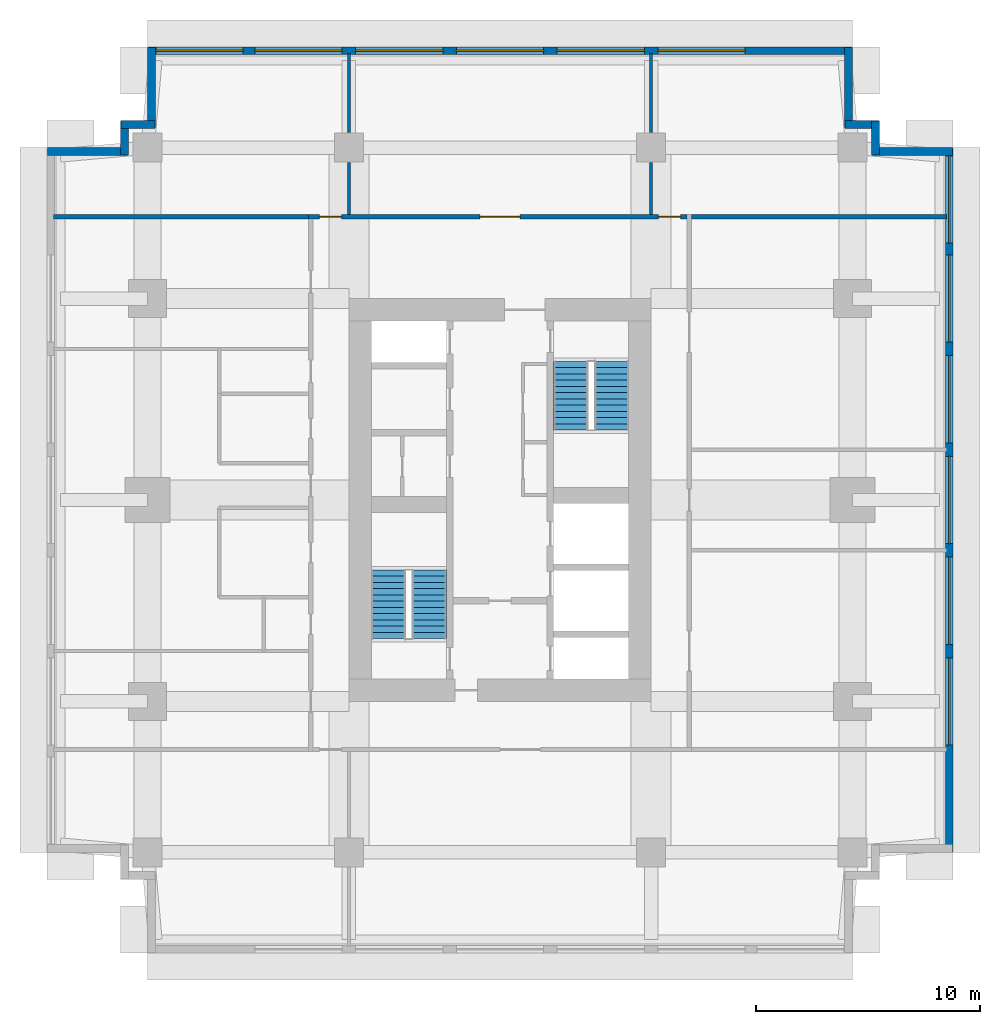
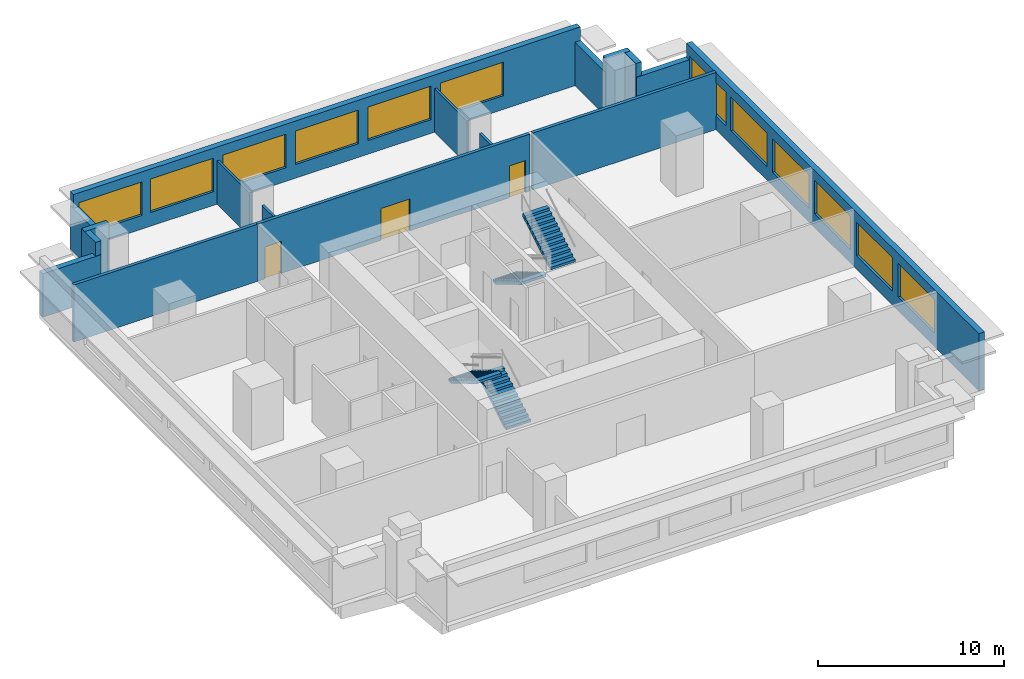
# One storey, part 4 of 5: 17 walls, 12 windows, 4 stair flights, 3 doors, 15 openings, 2 elements without a shape of their own.
"""IFC4 building model written with IfcOpenShell, lengths in metres."""

from ifc_helpers import new_model, si_unit, direction, frame, frame_2d, origin, place, context, subcontext, project, spatial, polyline, rectangle, outline, extrude, material, layer, layer_set, type_object, element, fill, aggregate, save


model = new_model("IFC4")

# Units and contexts
model_context = context("Model", 3, precision=1e-05, world=origin(), true_north=direction((0.0, 1.0)))
body_context = subcontext(model_context, "Body", "Model", "MODEL_VIEW")
ifc_project = project(units=[si_unit("LENGTHUNIT", "METRE"), si_unit("AREAUNIT", "SQUARE_METRE"), si_unit("VOLUMEUNIT", "CUBIC_METRE"), si_unit("PLANEANGLEUNIT", "RADIAN"), si_unit("MASSUNIT", "GRAM", prefix="KILO")], contexts=[model_context])

# Site, building, storey
site_placement = place(None, origin())
site = spatial("IfcSite", under=ifc_project, at=site_placement, CompositionType="ELEMENT")
building_placement = place(site_placement, origin())
building = spatial("IfcBuilding", under=site, at=building_placement, Name="Namib Vertical Campus", CompositionType="ELEMENT")
storey_placement = place(building_placement, frame((0.0, 0.0, 277.0)))
storey = spatial("IfcBuildingStorey", under=building, at=storey_placement, Name="L65", CompositionType="ELEMENT", Elevation=277.0)

# Wall, openings, doors
ifc_material_1 = material(Name="Concrete masonry", Category="masonry")
ifc_layer_1 = layer(ifc_material_1, 0.199951171875)
ifc_layer_set_1 = layer_set([ifc_layer_1], Name="Corridor wall 200")
wall_type_1 = type_object("IfcWallType", Name="Corridor wall 200", PredefinedType="SOLIDWALL", material=ifc_layer_set_1)
wall_1_placement = place(storey_placement, frame((28.60009765625, 32.89990234375, 0.0), z_axis=(0.0, 0.0, 1.0), x_axis=(-1.0, 0.0, 0.0)))
wall_1 = element("IfcWall", 1, at=wall_1_placement, inside=storey, type_object=wall_type_1, Name="Corridor wall A L65 CN", PredefinedType="SOLIDWALL", context=body_context, shape_type="SweptSolid", body=[
    extrude(rectangle(XDim=16.900146484375, YDim=0.199951171875, at=frame_2d((8.4501953125, 0.0))), origin(), (0.0, 0.0, 1.0), 3.75),
])
opening_1_placement = place(wall_1_placement, frame((15.425048828125, 0.0, 0.0)))
opening_1 = element("IfcOpeningElement", 2, at=opening_1_placement, cuts=wall_1, Name="Opening CD1", PredefinedType="OPENING", context=body_context, shape_type="SweptSolid", body=[
    extrude(rectangle(XDim=1.0, YDim=2.10009765625, at=frame_2d((0.5, 1.050048828125))), frame((0.0, 0.10986328125, 0.0), z_axis=(0.0, -1.0, 0.0), x_axis=(1.0, 0.0, 0.0)), (0.0, 0.0, 1.0), 0.219970703125),
])
opening_2_placement = place(wall_1_placement, frame((7.449951171875, 0.0, 0.0)))
opening_2 = element("IfcOpeningElement", 3, at=opening_2_placement, cuts=wall_1, Name="Opening CD2", PredefinedType="OPENING", context=body_context, shape_type="SweptSolid", body=[
    extrude(rectangle(XDim=1.800048828125, YDim=2.10009765625, at=frame_2d((0.89990234375, 1.050048828125))), frame((0.0, 0.10986328125, 0.0), z_axis=(0.0, -1.0, 0.0), x_axis=(1.0, 0.0, 0.0)), (0.0, 0.0, 1.0), 0.219970703125),
])
opening_3_placement = place(wall_1_placement, frame((0.27490234375, 0.0, 0.0)))
opening_3 = element("IfcOpeningElement", 4, at=opening_3_placement, cuts=wall_1, Name="Opening CD1", PredefinedType="OPENING", context=body_context, shape_type="SweptSolid", body=[
    extrude(rectangle(XDim=1.0, YDim=2.10009765625, at=frame_2d((0.5, 1.050048828125))), frame((0.0, 0.10986328125, 0.0), z_axis=(0.0, -1.0, 0.0), x_axis=(1.0, 0.0, 0.0)), (0.0, 0.0, 1.0), 0.219970703125),
])
ifc_material_2 = material(Name="Timber fire door leaf", Category="wood")
door_type_1 = type_object("IfcDoorType", Name="Corridor door 1000x2100 20 min", OperationType="SINGLE_SWING_LEFT", PredefinedType="DOOR", material=ifc_material_2)
door_1_placement = place(opening_1_placement, frame((1.0, 0.0, 0.0), z_axis=(0.0, 0.0, 1.0), x_axis=(-1.0, 0.0, 0.0)))
door_1 = element("IfcDoor", 5, at=door_1_placement, inside=storey, type_object=door_type_1, Name="Door CD1 A65-06", OperationType="SINGLE_SWING_RIGHT", OverallHeight=2.10009765625, OverallWidth=1.0, PredefinedType="DOOR", context=body_context, shape_type="SweptSolid", body=[
    extrude(rectangle(XDim=1.0, YDim=2.10009765625, at=frame_2d((0.5, 1.050048828125))), frame((0.0, 0.02490234375, 0.0), z_axis=(0.0, -1.0, 0.0), x_axis=(1.0, 0.0, 0.0)), (0.0, 0.0, 1.0), 0.050048828125),
])
fill(opening_1, door_1)
door_2_placement = place(opening_3_placement, frame((1.0, 0.0, 0.0), z_axis=(0.0, 0.0, 1.0), x_axis=(-1.0, 0.0, 0.0)))
door_2 = element("IfcDoor", 6, at=door_2_placement, inside=storey, type_object=door_type_1, Name="Door CD1 A65-08", OperationType="SINGLE_SWING_LEFT", OverallHeight=2.10009765625, OverallWidth=1.0, PredefinedType="DOOR", context=body_context, shape_type="SweptSolid", body=[
    extrude(rectangle(XDim=1.0, YDim=2.10009765625, at=frame_2d((0.5, 1.050048828125))), frame((0.0, 0.02490234375, 0.0), z_axis=(0.0, -1.0, 0.0), x_axis=(1.0, 0.0, 0.0)), (0.0, 0.0, 1.0), 0.050048828125),
])
fill(opening_3, door_2)
ifc_material_3 = material(Name="Timber fire door leaf", Category="wood")
door_type_2 = type_object("IfcDoorType", Name="Corridor door double 1800x2100 20 min", OperationType="DOUBLE_DOOR_SINGLE_SWING", PredefinedType="DOOR", material=ifc_material_3)
door_3_placement = place(opening_2_placement, frame((1.800048828125, 0.0, 0.0), z_axis=(0.0, 0.0, 1.0), x_axis=(-1.0, 0.0, 0.0)))
door_3 = element("IfcDoor", 7, at=door_3_placement, inside=storey, type_object=door_type_2, Name="Door CD2 A65-07", OperationType="DOUBLE_DOOR_SINGLE_SWING", OverallHeight=2.10009765625, OverallWidth=1.800048828125, PredefinedType="DOOR", context=body_context, shape_type="SweptSolid", body=[
    extrude(rectangle(XDim=1.800048828125, YDim=2.10009765625, at=frame_2d((0.89990234375, 1.050048828125))), frame((0.0, 0.02490234375, 0.0), z_axis=(0.0, -1.0, 0.0), x_axis=(1.0, 0.0, 0.0)), (0.0, 0.0, 1.0), 0.050048828125),
])
fill(opening_2, door_3)

# Walls
for number, where, z_axis, x_axis, name in (
    (8, (0.300048828125, 32.89990234375, 0.0), (0.0, 0.0, 1.0), (1.0, 0.0, 0.0), "Partition A L65 BNW"),
    (9, (28.800048828125, 32.89990234375, 0.0), (0.0, 0.0, 1.0), (1.0, 0.0, 0.0), "Partition A L65 BNE"),
):
    element("IfcWall", number, at=place(storey_placement, frame(where, z_axis=z_axis, x_axis=x_axis)), inside=storey, type_object=wall_type_1, Name=name, PredefinedType="SOLIDWALL", context=body_context, shape_type="SweptSolid", body=[
        extrude(rectangle(XDim=11.39990234375, YDim=0.199951171875, at=frame_2d((5.699951171875, 0.0))), origin(), (0.0, 0.0, 1.0), 3.75),
    ])

# Wall, openings, windows
ifc_material_4 = material(Name="Concrete C40/50", Category="concrete")
ifc_layer_2 = layer(ifc_material_4, 0.35009765625)
ifc_layer_set_2 = layer_set([ifc_layer_2], Name="Concrete C40/50")
wall_type_2 = type_object("IfcWallType", Name="External wall 350 bush-hammered concrete", PredefinedType="STANDARD", material=ifc_layer_set_2)
wall_2_placement = place(storey_placement, frame((40.324951171875, 4.52001953125, 0.0), z_axis=(0.0, 0.0, 1.0), x_axis=(0.0, 1.0, 0.0)))
wall_2 = element("IfcWall", 10, at=wall_2_placement, inside=storey, type_object=wall_type_2, Name="External wall L65 F06", PredefinedType="STANDARD", context=body_context, shape_type="SweptSolid", body=[
    extrude(rectangle(XDim=31.4599609375, YDim=0.35009765625, at=frame_2d((15.72998046875, 0.0))), origin(), (0.0, 0.0, 1.0), 3.75),
])
opening_4_placement = place(wall_2_placement, frame((4.780029296875, 0.0, 0.89990234375)))
opening_4 = element("IfcOpeningElement", 11, at=opening_4_placement, cuts=wall_2, Name="Opening W1", PredefinedType="OPENING", context=body_context, shape_type="SweptSolid", body=[
    extrude(rectangle(XDim=3.89990234375, YDim=2.199951171875, at=frame_2d((1.949951171875, 1.10009765625))), frame((0.0, 0.18505859375, 0.0), z_axis=(0.0, -1.0, 0.0), x_axis=(1.0, 0.0, 0.0)), (0.0, 0.0, 1.0), 0.3701171875),
])
opening_5_placement = place(wall_2_placement, frame((9.280029296875, 0.0, 0.89990234375)))
opening_5 = element("IfcOpeningElement", 12, at=opening_5_placement, cuts=wall_2, Name="Opening W1", PredefinedType="OPENING", context=body_context, shape_type="SweptSolid", body=[
    extrude(rectangle(XDim=3.89990234375, YDim=2.199951171875, at=frame_2d((1.949951171875, 1.10009765625))), frame((0.0, 0.18505859375, 0.0), z_axis=(0.0, -1.0, 0.0), x_axis=(1.0, 0.0, 0.0)), (0.0, 0.0, 1.0), 0.3701171875),
])
opening_6_placement = place(wall_2_placement, frame((13.780029296875, 0.0, 0.89990234375)))
opening_6 = element("IfcOpeningElement", 13, at=opening_6_placement, cuts=wall_2, Name="Opening W1", PredefinedType="OPENING", context=body_context, shape_type="SweptSolid", body=[
    extrude(rectangle(XDim=3.89990234375, YDim=2.199951171875, at=frame_2d((1.949951171875, 1.10009765625))), frame((0.0, 0.18505859375, 0.0), z_axis=(0.0, -1.0, 0.0), x_axis=(1.0, 0.0, 0.0)), (0.0, 0.0, 1.0), 0.3701171875),
])
opening_7_placement = place(wall_2_placement, frame((18.280029296875, 0.0, 0.89990234375)))
opening_7 = element("IfcOpeningElement", 14, at=opening_7_placement, cuts=wall_2, Name="Opening W1", PredefinedType="OPENING", context=body_context, shape_type="SweptSolid", body=[
    extrude(rectangle(XDim=3.89990234375, YDim=2.199951171875, at=frame_2d((1.949951171875, 1.10009765625))), frame((0.0, 0.18505859375, 0.0), z_axis=(0.0, -1.0, 0.0), x_axis=(1.0, 0.0, 0.0)), (0.0, 0.0, 1.0), 0.3701171875),
])
opening_8_placement = place(wall_2_placement, frame((22.780029296875, 0.0, 0.89990234375)))
opening_8 = element("IfcOpeningElement", 15, at=opening_8_placement, cuts=wall_2, Name="Opening W1", PredefinedType="OPENING", context=body_context, shape_type="SweptSolid", body=[
    extrude(rectangle(XDim=3.89990234375, YDim=2.199951171875, at=frame_2d((1.949951171875, 1.10009765625))), frame((0.0, 0.18505859375, 0.0), z_axis=(0.0, -1.0, 0.0), x_axis=(1.0, 0.0, 0.0)), (0.0, 0.0, 1.0), 0.3701171875),
])
opening_9_placement = place(wall_2_placement, frame((27.2099609375, 0.0, 0.89990234375)))
opening_9 = element("IfcOpeningElement", 16, at=opening_9_placement, cuts=wall_2, Name="Opening W1", PredefinedType="OPENING", context=body_context, shape_type="SweptSolid", body=[
    extrude(rectangle(XDim=3.89990234375, YDim=2.199951171875, at=frame_2d((1.949951171875, 1.10009765625))), frame((0.0, 0.18505859375, 0.0), z_axis=(0.0, -1.0, 0.0), x_axis=(1.0, 0.0, 0.0)), (0.0, 0.0, 1.0), 0.3701171875),
])
ifc_material_5 = material(Name="Dark tinted glass in black aluminium frame", Category="aluminium")
window_type = type_object("IfcWindowType", Name="Ribbon window 3900x2200", PartitioningType="SINGLE_PANEL", PredefinedType="WINDOW", material=ifc_material_5)
window_1_placement = place(opening_4_placement, origin())
window_1 = element("IfcWindow", 17, at=window_1_placement, inside=storey, type_object=window_type, Name="Window W1 L65 F06-2", OverallHeight=2.199951171875, OverallWidth=3.89990234375, PartitioningType="SINGLE_PANEL", PredefinedType="WINDOW", context=body_context, shape_type="SweptSolid", body=[
    extrude(rectangle(XDim=3.89990234375, YDim=2.199951171875, at=frame_2d((1.949951171875, 1.10009765625))), frame((0.0, 0.030029296875, 0.0), z_axis=(0.0, -1.0, 0.0), x_axis=(1.0, 0.0, 0.0)), (0.0, 0.0, 1.0), 0.06005859375),
])
fill(opening_4, window_1)
window_2_placement = place(opening_5_placement, origin())
window_2 = element("IfcWindow", 18, at=window_2_placement, inside=storey, type_object=window_type, Name="Window W1 L65 F06-3", OverallHeight=2.199951171875, OverallWidth=3.89990234375, PartitioningType="SINGLE_PANEL", PredefinedType="WINDOW", context=body_context, shape_type="SweptSolid", body=[
    extrude(rectangle(XDim=3.89990234375, YDim=2.199951171875, at=frame_2d((1.949951171875, 1.10009765625))), frame((0.0, 0.030029296875, 0.0), z_axis=(0.0, -1.0, 0.0), x_axis=(1.0, 0.0, 0.0)), (0.0, 0.0, 1.0), 0.06005859375),
])
fill(opening_5, window_2)
window_3_placement = place(opening_6_placement, origin())
window_3 = element("IfcWindow", 19, at=window_3_placement, inside=storey, type_object=window_type, Name="Window W1 L65 F06-4", OverallHeight=2.199951171875, OverallWidth=3.89990234375, PartitioningType="SINGLE_PANEL", PredefinedType="WINDOW", context=body_context, shape_type="SweptSolid", body=[
    extrude(rectangle(XDim=3.89990234375, YDim=2.199951171875, at=frame_2d((1.949951171875, 1.10009765625))), frame((0.0, 0.030029296875, 0.0), z_axis=(0.0, -1.0, 0.0), x_axis=(1.0, 0.0, 0.0)), (0.0, 0.0, 1.0), 0.06005859375),
])
fill(opening_6, window_3)
window_4_placement = place(opening_7_placement, origin())
window_4 = element("IfcWindow", 20, at=window_4_placement, inside=storey, type_object=window_type, Name="Window W1 L65 F06-5", OverallHeight=2.199951171875, OverallWidth=3.89990234375, PartitioningType="SINGLE_PANEL", PredefinedType="WINDOW", context=body_context, shape_type="SweptSolid", body=[
    extrude(rectangle(XDim=3.89990234375, YDim=2.199951171875, at=frame_2d((1.949951171875, 1.10009765625))), frame((0.0, 0.030029296875, 0.0), z_axis=(0.0, -1.0, 0.0), x_axis=(1.0, 0.0, 0.0)), (0.0, 0.0, 1.0), 0.06005859375),
])
fill(opening_7, window_4)
window_5_placement = place(opening_8_placement, origin())
window_5 = element("IfcWindow", 21, at=window_5_placement, inside=storey, type_object=window_type, Name="Window W1 L65 F06-6", OverallHeight=2.199951171875, OverallWidth=3.89990234375, PartitioningType="SINGLE_PANEL", PredefinedType="WINDOW", context=body_context, shape_type="SweptSolid", body=[
    extrude(rectangle(XDim=3.89990234375, YDim=2.199951171875, at=frame_2d((1.949951171875, 1.10009765625))), frame((0.0, 0.030029296875, 0.0), z_axis=(0.0, -1.0, 0.0), x_axis=(1.0, 0.0, 0.0)), (0.0, 0.0, 1.0), 0.06005859375),
])
fill(opening_8, window_5)
window_6_placement = place(opening_9_placement, origin())
window_6 = element("IfcWindow", 22, at=window_6_placement, inside=storey, type_object=window_type, Name="Window W1 L65 F06-7", OverallHeight=2.199951171875, OverallWidth=3.89990234375, PartitioningType="SINGLE_PANEL", PredefinedType="WINDOW", context=body_context, shape_type="SweptSolid", body=[
    extrude(rectangle(XDim=3.89990234375, YDim=2.199951171875, at=frame_2d((1.949951171875, 1.10009765625))), frame((0.0, 0.030029296875, 0.0), z_axis=(0.0, -1.0, 0.0), x_axis=(1.0, 0.0, 0.0)), (0.0, 0.0, 1.0), 0.06005859375),
])
fill(opening_9, window_6)

# Walls
wall_3_placement = place(storey_placement, frame((40.47998046875, 35.824951171875, 0.0), z_axis=(0.0, 0.0, 1.0), x_axis=(-1.0, 0.0, 0.0)))
element("IfcWall", 23, at=wall_3_placement, inside=storey, type_object=wall_type_2, Name="External wall L65 F07", PredefinedType="STANDARD", context=body_context, shape_type="SweptSolid", body=[
    extrude(rectangle(XDim=3.60986328125, YDim=0.35009765625, at=frame_2d((1.804931640625, 0.0))), origin(), (0.0, 0.0, 1.0), 2.85009765625),
])
for number, where, z_axis, x_axis, name in (
    (24, (37.02490234375, 35.669921875, 0.0), (0.0, 0.0, 1.0), (0.0, 1.0, 0.0), "External wall L65 F08"),
    (25, (37.179931640625, 37.02490234375, 0.0), (0.0, 0.0, 1.0), (-1.0, 0.0, 0.0), "External wall L65 F09"),
):
    element("IfcWall", number, at=place(storey_placement, frame(where, z_axis=z_axis, x_axis=x_axis)), inside=storey, type_object=wall_type_2, Name=name, PredefinedType="STANDARD", context=body_context, shape_type="SweptSolid", body=[
        extrude(rectangle(XDim=1.510009765625, YDim=0.35009765625, at=frame_2d((0.7548828125, 0.0))), origin(), (0.0, 0.0, 1.0), 3.75),
    ])
wall_4_placement = place(storey_placement, frame((35.824951171875, 36.8701171875, 0.0), z_axis=(0.0, 0.0, 1.0), x_axis=(0.0, 1.0, 0.0)))
element("IfcWall", 26, at=wall_4_placement, inside=storey, type_object=wall_type_2, Name="External wall L65 F10", PredefinedType="STANDARD", context=body_context, shape_type="SweptSolid", body=[
    extrude(rectangle(XDim=3.60986328125, YDim=0.35009765625, at=frame_2d((1.804931640625, 0.0))), origin(), (0.0, 0.0, 1.0), 2.85009765625),
])

# Wall, openings, windows
wall_5_placement = place(storey_placement, frame((35.97998046875, 40.324951171875, 0.0), z_axis=(0.0, 0.0, 1.0), x_axis=(-1.0, 0.0, 0.0)))
wall_5 = element("IfcWall", 27, at=wall_5_placement, inside=storey, type_object=wall_type_2, Name="External wall L65 F11", PredefinedType="STANDARD", context=body_context, shape_type="SweptSolid", body=[
    extrude(rectangle(XDim=31.4599609375, YDim=0.35009765625, at=frame_2d((15.72998046875, 0.0))), origin(), (0.0, 0.0, 1.0), 3.75),
])
opening_10_placement = place(wall_5_placement, frame((27.2099609375, 0.0, 0.89990234375)))
opening_10 = element("IfcOpeningElement", 28, at=opening_10_placement, cuts=wall_5, Name="Opening W1", PredefinedType="OPENING", context=body_context, shape_type="SweptSolid", body=[
    extrude(rectangle(XDim=3.89990234375, YDim=2.199951171875, at=frame_2d((1.949951171875, 1.10009765625))), frame((0.0, 0.18505859375, 0.0), z_axis=(0.0, -1.0, 0.0), x_axis=(1.0, 0.0, 0.0)), (0.0, 0.0, 1.0), 0.3701171875),
])
opening_11_placement = place(wall_5_placement, frame((22.780029296875, 0.0, 0.89990234375)))
opening_11 = element("IfcOpeningElement", 29, at=opening_11_placement, cuts=wall_5, Name="Opening W1", PredefinedType="OPENING", context=body_context, shape_type="SweptSolid", body=[
    extrude(rectangle(XDim=3.89990234375, YDim=2.199951171875, at=frame_2d((1.949951171875, 1.10009765625))), frame((0.0, 0.18505859375, 0.0), z_axis=(0.0, -1.0, 0.0), x_axis=(1.0, 0.0, 0.0)), (0.0, 0.0, 1.0), 0.3701171875),
])
opening_12_placement = place(wall_5_placement, frame((18.280029296875, 0.0, 0.89990234375)))
opening_12 = element("IfcOpeningElement", 30, at=opening_12_placement, cuts=wall_5, Name="Opening W1", PredefinedType="OPENING", context=body_context, shape_type="SweptSolid", body=[
    extrude(rectangle(XDim=3.89990234375, YDim=2.199951171875, at=frame_2d((1.949951171875, 1.10009765625))), frame((0.0, 0.18505859375, 0.0), z_axis=(0.0, -1.0, 0.0), x_axis=(1.0, 0.0, 0.0)), (0.0, 0.0, 1.0), 0.3701171875),
])
opening_13_placement = place(wall_5_placement, frame((13.780029296875, 0.0, 0.89990234375)))
opening_13 = element("IfcOpeningElement", 31, at=opening_13_placement, cuts=wall_5, Name="Opening W1", PredefinedType="OPENING", context=body_context, shape_type="SweptSolid", body=[
    extrude(rectangle(XDim=3.89990234375, YDim=2.199951171875, at=frame_2d((1.949951171875, 1.10009765625))), frame((0.0, 0.18505859375, 0.0), z_axis=(0.0, -1.0, 0.0), x_axis=(1.0, 0.0, 0.0)), (0.0, 0.0, 1.0), 0.3701171875),
])
opening_14_placement = place(wall_5_placement, frame((9.280029296875, 0.0, 0.89990234375)))
opening_14 = element("IfcOpeningElement", 32, at=opening_14_placement, cuts=wall_5, Name="Opening W1", PredefinedType="OPENING", context=body_context, shape_type="SweptSolid", body=[
    extrude(rectangle(XDim=3.89990234375, YDim=2.199951171875, at=frame_2d((1.949951171875, 1.10009765625))), frame((0.0, 0.18505859375, 0.0), z_axis=(0.0, -1.0, 0.0), x_axis=(1.0, 0.0, 0.0)), (0.0, 0.0, 1.0), 0.3701171875),
])
opening_15_placement = place(wall_5_placement, frame((4.780029296875, 0.0, 0.89990234375)))
opening_15 = element("IfcOpeningElement", 33, at=opening_15_placement, cuts=wall_5, Name="Opening W1", PredefinedType="OPENING", context=body_context, shape_type="SweptSolid", body=[
    extrude(rectangle(XDim=3.89990234375, YDim=2.199951171875, at=frame_2d((1.949951171875, 1.10009765625))), frame((0.0, 0.18505859375, 0.0), z_axis=(0.0, -1.0, 0.0), x_axis=(1.0, 0.0, 0.0)), (0.0, 0.0, 1.0), 0.3701171875),
])
window_7_placement = place(opening_10_placement, origin())
window_7 = element("IfcWindow", 34, at=window_7_placement, inside=storey, type_object=window_type, Name="Window W1 L65 F11-1", OverallHeight=2.199951171875, OverallWidth=3.89990234375, PartitioningType="SINGLE_PANEL", PredefinedType="WINDOW", context=body_context, shape_type="SweptSolid", body=[
    extrude(rectangle(XDim=3.89990234375, YDim=2.199951171875, at=frame_2d((1.949951171875, 1.10009765625))), frame((0.0, 0.030029296875, 0.0), z_axis=(0.0, -1.0, 0.0), x_axis=(1.0, 0.0, 0.0)), (0.0, 0.0, 1.0), 0.06005859375),
])
fill(opening_10, window_7)
window_8_placement = place(opening_11_placement, origin())
window_8 = element("IfcWindow", 35, at=window_8_placement, inside=storey, type_object=window_type, Name="Window W1 L65 F11-2", OverallHeight=2.199951171875, OverallWidth=3.89990234375, PartitioningType="SINGLE_PANEL", PredefinedType="WINDOW", context=body_context, shape_type="SweptSolid", body=[
    extrude(rectangle(XDim=3.89990234375, YDim=2.199951171875, at=frame_2d((1.949951171875, 1.10009765625))), frame((0.0, 0.030029296875, 0.0), z_axis=(0.0, -1.0, 0.0), x_axis=(1.0, 0.0, 0.0)), (0.0, 0.0, 1.0), 0.06005859375),
])
fill(opening_11, window_8)
window_9_placement = place(opening_12_placement, origin())
window_9 = element("IfcWindow", 36, at=window_9_placement, inside=storey, type_object=window_type, Name="Window W1 L65 F11-3", OverallHeight=2.199951171875, OverallWidth=3.89990234375, PartitioningType="SINGLE_PANEL", PredefinedType="WINDOW", context=body_context, shape_type="SweptSolid", body=[
    extrude(rectangle(XDim=3.89990234375, YDim=2.199951171875, at=frame_2d((1.949951171875, 1.10009765625))), frame((0.0, 0.030029296875, 0.0), z_axis=(0.0, -1.0, 0.0), x_axis=(1.0, 0.0, 0.0)), (0.0, 0.0, 1.0), 0.06005859375),
])
fill(opening_12, window_9)
window_10_placement = place(opening_13_placement, origin())
window_10 = element("IfcWindow", 37, at=window_10_placement, inside=storey, type_object=window_type, Name="Window W1 L65 F11-4", OverallHeight=2.199951171875, OverallWidth=3.89990234375, PartitioningType="SINGLE_PANEL", PredefinedType="WINDOW", context=body_context, shape_type="SweptSolid", body=[
    extrude(rectangle(XDim=3.89990234375, YDim=2.199951171875, at=frame_2d((1.949951171875, 1.10009765625))), frame((0.0, 0.030029296875, 0.0), z_axis=(0.0, -1.0, 0.0), x_axis=(1.0, 0.0, 0.0)), (0.0, 0.0, 1.0), 0.06005859375),
])
fill(opening_13, window_10)
window_11_placement = place(opening_14_placement, origin())
window_11 = element("IfcWindow", 38, at=window_11_placement, inside=storey, type_object=window_type, Name="Window W1 L65 F11-5", OverallHeight=2.199951171875, OverallWidth=3.89990234375, PartitioningType="SINGLE_PANEL", PredefinedType="WINDOW", context=body_context, shape_type="SweptSolid", body=[
    extrude(rectangle(XDim=3.89990234375, YDim=2.199951171875, at=frame_2d((1.949951171875, 1.10009765625))), frame((0.0, 0.030029296875, 0.0), z_axis=(0.0, -1.0, 0.0), x_axis=(1.0, 0.0, 0.0)), (0.0, 0.0, 1.0), 0.06005859375),
])
fill(opening_14, window_11)
window_12_placement = place(opening_15_placement, origin())
window_12 = element("IfcWindow", 39, at=window_12_placement, inside=storey, type_object=window_type, Name="Window W1 L65 F11-6", OverallHeight=2.199951171875, OverallWidth=3.89990234375, PartitioningType="SINGLE_PANEL", PredefinedType="WINDOW", context=body_context, shape_type="SweptSolid", body=[
    extrude(rectangle(XDim=3.89990234375, YDim=2.199951171875, at=frame_2d((1.949951171875, 1.10009765625))), frame((0.0, 0.030029296875, 0.0), z_axis=(0.0, -1.0, 0.0), x_axis=(1.0, 0.0, 0.0)), (0.0, 0.0, 1.0), 0.06005859375),
])
fill(opening_15, window_12)

# Walls
wall_6_placement = place(storey_placement, frame((4.675048828125, 40.47998046875, 0.0), z_axis=(0.0, 0.0, 1.0), x_axis=(0.0, -1.0, 0.0)))
element("IfcWall", 40, at=wall_6_placement, inside=storey, type_object=wall_type_2, Name="External wall L65 F12", PredefinedType="STANDARD", context=body_context, shape_type="SweptSolid", body=[
    extrude(rectangle(XDim=3.60986328125, YDim=0.35009765625, at=frame_2d((1.804931640625, 0.0))), origin(), (0.0, 0.0, 1.0), 2.85009765625),
])
for number, where, z_axis, x_axis, name in (
    (41, (4.830078125, 37.02490234375, 0.0), (0.0, 0.0, 1.0), (-1.0, 0.0, 0.0), "External wall L65 F13"),
    (42, (3.47509765625, 37.179931640625, 0.0), (0.0, 0.0, 1.0), (0.0, -1.0, 0.0), "External wall L65 F14"),
):
    element("IfcWall", number, at=place(storey_placement, frame(where, z_axis=z_axis, x_axis=x_axis)), inside=storey, type_object=wall_type_2, Name=name, PredefinedType="STANDARD", context=body_context, shape_type="SweptSolid", body=[
        extrude(rectangle(XDim=1.510009765625, YDim=0.35009765625, at=frame_2d((0.7548828125, 0.0))), origin(), (0.0, 0.0, 1.0), 3.75),
    ])
wall_7_placement = place(storey_placement, frame((3.6298828125, 35.824951171875, 0.0), z_axis=(0.0, 0.0, 1.0), x_axis=(-1.0, 0.0, 0.0)))
element("IfcWall", 43, at=wall_7_placement, inside=storey, type_object=wall_type_2, Name="External wall L65 F15", PredefinedType="STANDARD", context=body_context, shape_type="SweptSolid", body=[
    extrude(rectangle(XDim=3.60986328125, YDim=0.35009765625, at=frame_2d((1.804931640625, 0.0))), origin(), (0.0, 0.0, 1.0), 2.85009765625),
])
ifc_material_6 = material(Name="Gypsum board on steel studs", Category="steel")
ifc_layer_3 = layer(ifc_material_6, 0.14990234375)
ifc_layer_set_3 = layer_set([ifc_layer_3], Name="Gypsum board on steel studs")
wall_type_3 = type_object("IfcWallType", Name="Partition 150", PredefinedType="PARTITIONING", material=ifc_layer_set_3)
wall_8_placement = place(storey_placement, frame((13.5, 33.0, 0.0), z_axis=(0.0, 0.0, 1.0), x_axis=(0.0, 1.0, 0.0)))
element("IfcWall", 44, at=wall_8_placement, inside=storey, type_object=wall_type_3, Name="Partition A L65 PN1", PredefinedType="PARTITIONING", context=body_context, shape_type="SweptSolid", body=[
    extrude(rectangle(XDim=2.330078125, YDim=0.14990234375, at=frame_2d((1.1650390625, 0.0))), origin(), (0.0, 0.0, 1.0), 2.85009765625),
])
wall_9_placement = place(storey_placement, frame((13.5, 36.669921875, 0.0), z_axis=(0.0, 0.0, 1.0), x_axis=(0.0, 1.0, 0.0)))
element("IfcWall", 45, at=wall_9_placement, inside=storey, type_object=wall_type_3, Name="Partition A L65 PN1", PredefinedType="PARTITIONING", context=body_context, shape_type="SweptSolid", body=[
    extrude(rectangle(XDim=3.530029296875, YDim=0.14990234375, at=frame_2d((1.76513671875, 0.0))), origin(), (0.0, 0.0, 1.0), 2.85009765625),
])
wall_10_placement = place(storey_placement, frame((27.0, 33.0, 0.0), z_axis=(0.0, 0.0, 1.0), x_axis=(0.0, 1.0, 0.0)))
element("IfcWall", 46, at=wall_10_placement, inside=storey, type_object=wall_type_3, Name="Partition A L65 PN2", PredefinedType="PARTITIONING", context=body_context, shape_type="SweptSolid", body=[
    extrude(rectangle(XDim=2.330078125, YDim=0.14990234375, at=frame_2d((1.1650390625, 0.0))), origin(), (0.0, 0.0, 1.0), 2.85009765625),
])
wall_11_placement = place(storey_placement, frame((27.0, 36.669921875, 0.0), z_axis=(0.0, 0.0, 1.0), x_axis=(0.0, 1.0, 0.0)))
element("IfcWall", 47, at=wall_11_placement, inside=storey, type_object=wall_type_3, Name="Partition A L65 PN2", PredefinedType="PARTITIONING", context=body_context, shape_type="SweptSolid", body=[
    extrude(rectangle(XDim=3.530029296875, YDim=0.14990234375, at=frame_2d((1.76513671875, 0.0))), origin(), (0.0, 0.0, 1.0), 2.85009765625),
])

# Stair, stair flights
ifc_material_7 = material(Name="Concrete C40/50 precast", Category="concrete")
stair_type = type_object("IfcStairType", Name="Exit stair 4000 rise 24 risers 3350 wide", PredefinedType="HALF_TURN_STAIR", material=ifc_material_7)
stair_1_placement = place(storey_placement, origin())
stair_1 = element("IfcStair", 48, at=stair_1_placement, inside=storey, type_object=stair_type, Name="Exit stair A-S1 L65", PredefinedType="HALF_TURN_STAIR")
ifc_material_8 = material(Name="Concrete C40/50 precast", Category="concrete")
stair_flight_type = type_object("IfcStairFlightType", Name="Stair flight 12 risers 167 1525 wide", PredefinedType="STRAIGHT", material=ifc_material_8)
stair_flight_1_placement = place(storey_placement, frame((17.08740234375, 14.050048828125, 0.0), z_axis=(0.0, 0.0, 1.0), x_axis=(0.0, 1.0, 0.0)))
stair_flight_1 = element("IfcStairFlight", 49, at=stair_flight_1_placement, type_object=stair_flight_type, Name="A-S1 flight 1", NumberOfRisers=12, NumberOfTreads=11, PredefinedType="STRAIGHT", RiserHeight=0.166666667, TreadLength=0.28, context=body_context, shape_type="SweptSolid", body=[
    extrude(outline(polyline([(0.0, 0.0), (0.0, 0.166748046875), (0.280029296875, 0.166748046875), (0.280029296875, 0.333251953125), (0.56005859375, 0.333251953125), (0.56005859375, 0.5), (0.840087890625, 0.5), (0.840087890625, 0.666748046875), (1.1201171875, 0.666748046875), (1.1201171875, 0.833251953125), (1.39990234375, 0.833251953125), (1.39990234375, 1.0), (1.679931640625, 1.0), (1.679931640625, 1.166748046875), (1.9599609375, 1.166748046875), (1.9599609375, 1.333251953125), (2.239990234375, 1.333251953125), (2.239990234375, 1.5), (2.52001953125, 1.5), (2.52001953125, 1.666748046875), (2.800048828125, 1.666748046875), (2.800048828125, 1.833251953125), (3.080078125, 1.833251953125), (3.080078125, 2.0), (3.080078125, 1.658935546875), (0.29296875, 0.0), (0.0, 0.0)])), frame((0.0, 0.762451171875, 0.0), z_axis=(0.0, -1.0, 0.0), x_axis=(1.0, 0.0, 0.0)), (0.0, 0.0, 1.0), 1.52490234375),
])
stair_flight_2_placement = place(storey_placement, frame((15.262451171875, 17.1298828125, 2.0), z_axis=(0.0, 0.0, 1.0), x_axis=(0.0, -1.0, 0.0)))
stair_flight_2 = element("IfcStairFlight", 50, at=stair_flight_2_placement, type_object=stair_flight_type, Name="A-S1 flight 2", NumberOfRisers=12, NumberOfTreads=11, PredefinedType="STRAIGHT", RiserHeight=0.166666667, TreadLength=0.28, context=body_context, shape_type="SweptSolid", body=[
    extrude(outline(polyline([(0.0, 0.0), (0.0, 0.166748046875), (0.280029296875, 0.166748046875), (0.280029296875, 0.333251953125), (0.56005859375, 0.333251953125), (0.56005859375, 0.5), (0.840087890625, 0.5), (0.840087890625, 0.666748046875), (1.1201171875, 0.666748046875), (1.1201171875, 0.833251953125), (1.39990234375, 0.833251953125), (1.39990234375, 1.0), (1.679931640625, 1.0), (1.679931640625, 1.166748046875), (1.9599609375, 1.166748046875), (1.9599609375, 1.333251953125), (2.239990234375, 1.333251953125), (2.239990234375, 1.5), (2.52001953125, 1.5), (2.52001953125, 1.666748046875), (2.800048828125, 1.666748046875), (2.800048828125, 1.833251953125), (3.080078125, 1.833251953125), (3.080078125, 2.0), (3.080078125, 1.658935546875), (0.29296875, 0.0), (0.0, 0.0)])), frame((0.0, 0.762451171875, 0.0), z_axis=(0.0, -1.0, 0.0), x_axis=(1.0, 0.0, 0.0)), (0.0, 0.0, 1.0), 1.52490234375),
])
aggregate(stair_1, [stair_flight_1, stair_flight_2])

stair_2_placement = place(storey_placement, origin())
stair_2 = element("IfcStair", 51, at=stair_2_placement, inside=storey, type_object=stair_type, Name="Exit stair A-S2 L65", PredefinedType="HALF_TURN_STAIR")
stair_flight_3_placement = place(storey_placement, frame((23.41259765625, 26.449951171875, 0.0), z_axis=(0.0, 0.0, 1.0), x_axis=(0.0, -1.0, 0.0)))
stair_flight_3 = element("IfcStairFlight", 52, at=stair_flight_3_placement, type_object=stair_flight_type, Name="A-S2 flight 1", NumberOfRisers=12, NumberOfTreads=11, PredefinedType="STRAIGHT", RiserHeight=0.166666667, TreadLength=0.28, context=body_context, shape_type="SweptSolid", body=[
    extrude(outline(polyline([(0.0, 0.0), (0.0, 0.166748046875), (0.280029296875, 0.166748046875), (0.280029296875, 0.333251953125), (0.56005859375, 0.333251953125), (0.56005859375, 0.5), (0.840087890625, 0.5), (0.840087890625, 0.666748046875), (1.1201171875, 0.666748046875), (1.1201171875, 0.833251953125), (1.39990234375, 0.833251953125), (1.39990234375, 1.0), (1.679931640625, 1.0), (1.679931640625, 1.166748046875), (1.9599609375, 1.166748046875), (1.9599609375, 1.333251953125), (2.239990234375, 1.333251953125), (2.239990234375, 1.5), (2.52001953125, 1.5), (2.52001953125, 1.666748046875), (2.800048828125, 1.666748046875), (2.800048828125, 1.833251953125), (3.080078125, 1.833251953125), (3.080078125, 2.0), (3.080078125, 1.658935546875), (0.29296875, 0.0), (0.0, 0.0)])), frame((0.0, 0.762451171875, 0.0), z_axis=(0.0, -1.0, 0.0), x_axis=(1.0, 0.0, 0.0)), (0.0, 0.0, 1.0), 1.52490234375),
])
stair_flight_4_placement = place(storey_placement, frame((25.237548828125, 23.3701171875, 2.0), z_axis=(0.0, 0.0, 1.0), x_axis=(0.0, 1.0, 0.0)))
stair_flight_4 = element("IfcStairFlight", 53, at=stair_flight_4_placement, type_object=stair_flight_type, Name="A-S2 flight 2", NumberOfRisers=12, NumberOfTreads=11, PredefinedType="STRAIGHT", RiserHeight=0.166666667, TreadLength=0.28, context=body_context, shape_type="SweptSolid", body=[
    extrude(outline(polyline([(0.0, 0.0), (0.0, 0.166748046875), (0.280029296875, 0.166748046875), (0.280029296875, 0.333251953125), (0.56005859375, 0.333251953125), (0.56005859375, 0.5), (0.840087890625, 0.5), (0.840087890625, 0.666748046875), (1.1201171875, 0.666748046875), (1.1201171875, 0.833251953125), (1.39990234375, 0.833251953125), (1.39990234375, 1.0), (1.679931640625, 1.0), (1.679931640625, 1.166748046875), (1.9599609375, 1.166748046875), (1.9599609375, 1.333251953125), (2.239990234375, 1.333251953125), (2.239990234375, 1.5), (2.52001953125, 1.5), (2.52001953125, 1.666748046875), (2.800048828125, 1.666748046875), (2.800048828125, 1.833251953125), (3.080078125, 1.833251953125), (3.080078125, 2.0), (3.080078125, 1.658935546875), (0.29296875, 0.0), (0.0, 0.0)])), frame((0.0, 0.762451171875, 0.0), z_axis=(0.0, -1.0, 0.0), x_axis=(1.0, 0.0, 0.0)), (0.0, 0.0, 1.0), 1.52490234375),
])
aggregate(stair_2, [stair_flight_3, stair_flight_4])

save(model, "model.ifc")
